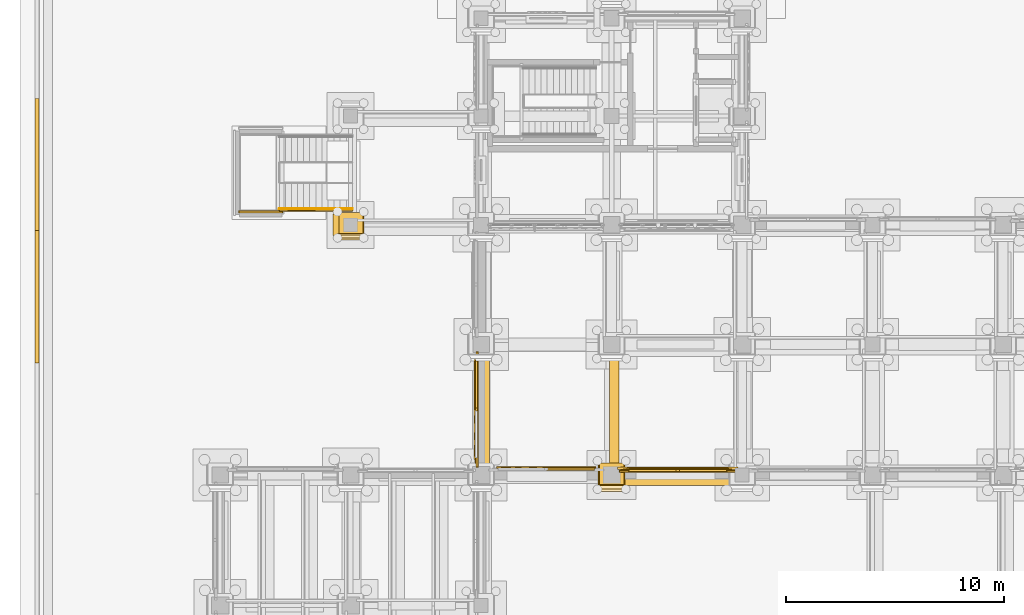
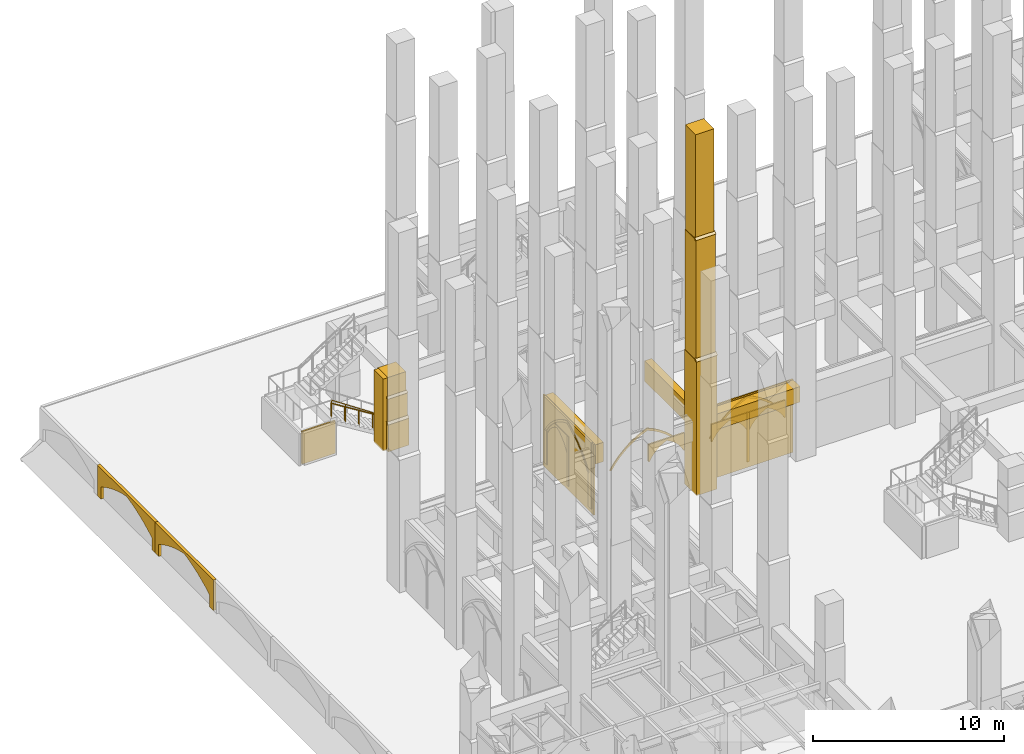
# One storey, part 88 of 135: 31 coverings, 2 railings.
"""IFC4 building model written with IfcOpenShell, lengths in metres."""

from ifc_helpers import new_model, si_unit, direction, frame, origin, origin_2d, place, context, subcontext, project, spatial, polyline, rectangle, circle, outline, extrude, material, type_object, element, save


model = new_model("IFC4")

# Units and contexts
model_context = context("Model", 3, precision=1e-05, world=origin(), true_north=direction((0.0, 1.0)))
body_context = subcontext(model_context, "Body", "Model", "MODEL_VIEW")
ifc_project = project(units=[si_unit("LENGTHUNIT", "METRE"), si_unit("AREAUNIT", "SQUARE_METRE"), si_unit("VOLUMEUNIT", "CUBIC_METRE"), si_unit("PLANEANGLEUNIT", "RADIAN"), si_unit("MASSUNIT", "GRAM", prefix="KILO")], contexts=[model_context])

# Site, building, storey
site_placement = place(None, origin())
site = spatial("IfcSite", under=ifc_project, at=site_placement, CompositionType="ELEMENT")
building_placement = place(site_placement, origin())
building = spatial("IfcBuilding", under=site, at=building_placement, Name="Cumevento Cable Car Station", CompositionType="ELEMENT")
storey_placement = place(building_placement, origin())
storey = spatial("IfcBuildingStorey", under=building, at=storey_placement, Name="L01", CompositionType="ELEMENT", Elevation=0.0)

# Railings
ifc_material_1 = material(Name="Painted Galvanised Architectural Steel", Category="steel")
railing_type_1 = type_object("IfcRailingType", Name="Stair Guardrail GR-S115", PredefinedType="GUARDRAIL", material=ifc_material_1)
railing_1_placement = place(storey_placement, frame((16.080078125, 57.159912109375, 0.0)))
element("IfcRailing", 1, at=railing_1_placement, inside=storey, type_object=railing_type_1, Name="Stair Outer Guardrail ST-16 F1", PredefinedType="GUARDRAIL", context=body_context, shape_type="SweptSolid", body=[
    extrude(circle(Radius=0.02392578125, at=origin_2d()), frame((0.0, 0.0, 1.1259765625), z_axis=(-0.830915400975, 0.0, 0.556398774641), x_axis=(0.0, -1.0, 0.0)), (0.0, 0.0, 1.0), 4.0439453125),
    extrude(circle(Radius=0.02001953125, at=origin_2d()), origin(), (0.0, 0.0, 1.0), 1.101806640625),
    extrude(circle(Radius=0.02001953125, at=origin_2d()), frame((-0.840087890625, 0.0, 0.5625)), (0.0, 0.0, 1.0), 1.101806640625),
    extrude(circle(Radius=0.02001953125, at=origin_2d()), frame((-1.68017578125, 0.0, 1.125)), (0.0, 0.0, 1.0), 1.101806640625),
    extrude(circle(Radius=0.02001953125, at=origin_2d()), frame((-2.52001953125, 0.0, 1.6875)), (0.0, 0.0, 1.0), 1.101806640625),
    extrude(circle(Radius=0.02001953125, at=origin_2d()), frame((-3.360107421875, 0.0, 2.25)), (0.0, 0.0, 1.0), 1.101806640625),
])
ifc_material_2 = material(Name="Brushed Stainless Steel Handrail Tube", Category="steel")
railing_type_2 = type_object("IfcRailingType", Name="Stair Handrail HR-090", PredefinedType="HANDRAIL", material=ifc_material_2)
railing_2_placement = place(storey_placement, frame((16.080078125, 57.239990234375, 0.17626953125)))
element("IfcRailing", 2, at=railing_2_placement, inside=storey, type_object=railing_type_2, Name="Stair Pitch Handrail ST-16 F1", PredefinedType="HANDRAIL", context=body_context, shape_type="SweptSolid", body=[
    extrude(circle(Radius=0.02099609375, at=origin_2d()), frame((0.0, 0.0, 0.87890625), z_axis=(-0.850623216509, 0.0, 0.525775754039), x_axis=(0.0, -1.0, 0.0)), (0.0, 0.0, 1.0), 3.9501953125),
    extrude(circle(Radius=0.01611328125, at=origin_2d()), origin(), (0.0, 0.0, 1.0), 0.85791015625),
    extrude(circle(Radius=0.01611328125, at=origin_2d()), frame((-0.840087890625, 0.0, 0.519287109375)), (0.0, 0.0, 1.0), 0.85791015625),
    extrude(circle(Radius=0.01611328125, at=origin_2d()), frame((-1.68017578125, 0.0, 1.03857421875)), (0.0, 0.0, 1.0), 0.85791015625),
    extrude(circle(Radius=0.01611328125, at=origin_2d()), frame((-2.52001953125, 0.0, 1.5576171875)), (0.0, 0.0, 1.0), 0.85791015625),
    extrude(circle(Radius=0.01611328125, at=origin_2d()), frame((-3.360107421875, 0.0, 2.076904296875)), (0.0, 0.0, 1.0), 0.85791015625),
])

# Coverings
ifc_material_3 = material(Name="Gnaisse Facoidal Stone Ashlar 85 MPa", Category="masonry")
covering_type = type_object("IfcCoveringType", Name="Gnaisse Ashlar Cladding CV-CL01", PredefinedType="CLADDING", material=ifc_material_3)
covering_1_placement = place(storey_placement, frame((16.0, 56.43994140625, -0.06005859375), z_axis=(0.0, 0.0, 1.0), x_axis=(1.0, 0.0, 0.0)))
element("IfcCovering", 3, at=covering_1_placement, inside=storey, type_object=covering_type, Name="Stepped Gothic Stone Buttress Tier 1 bt:16.0:56.5", PredefinedType="CLADDING", context=body_context, shape_type="SweptSolid", body=[
    extrude(rectangle(XDim=1.239990234375, YDim=1.239990234375, at=origin_2d()), origin(), (0.0, 0.0, 1.0), 1.755615234375),
])
covering_2_placement = place(storey_placement, frame((15.360107421875, 55.800048828125, 1.675537109375), z_axis=(0.0, -0.714474823669, 0.699661151089), x_axis=(1.0, 0.0, 0.0)))
element("IfcCovering", 4, at=covering_2_placement, inside=storey, type_object=covering_type, Name="Gothic Buttress Sloped Stone Weathering 1 bt:16.0:56.5", PredefinedType="CLADDING", context=body_context, shape_type="SweptSolid", body=[
    extrude(outline(polyline([(0.0, 0.0), (1.27978515625, 0.0), (1.27978515625, 0.21424991728737658), (0.0, 0.21424991728737658), (0.0, 0.0)])), origin(), (0.0, 0.0, -1.0), 0.090087890625),
])
covering_3_placement = place(storey_placement, frame((16.0, 56.489990234375, 1.603271484375), z_axis=(0.0, 0.0, 1.0), x_axis=(1.0, 0.0, 0.0)))
element("IfcCovering", 5, at=covering_3_placement, inside=storey, type_object=covering_type, Name="Stepped Gothic Stone Buttress Tier 2 bt:16.0:56.5", PredefinedType="CLADDING", context=body_context, shape_type="SweptSolid", body=[
    extrude(rectangle(XDim=1.179931640625, YDim=1.139892578125, at=origin_2d()), origin(), (0.0, 0.0, 1.0), 1.6630859375),
])
covering_4_placement = place(storey_placement, frame((15.389892578125, 55.89990234375, 3.246337890625), z_axis=(0.0, -0.715574205881, 0.698536724788), x_axis=(1.0, 0.0, 0.0)))
element("IfcCovering", 6, at=covering_4_placement, inside=storey, type_object=covering_type, Name="Gothic Buttress Sloped Stone Weathering 2 bt:16.0:56.5", PredefinedType="CLADDING", context=body_context, shape_type="SweptSolid", body=[
    extrude(outline(polyline([(0.0, 0.0), (1.22021484375, 0.0), (1.22021484375, 0.2006146760464928), (0.0, 0.2006146760464928), (0.0, 0.0)])), origin(), (0.0, 0.0, -1.0), 0.090087890625),
])
covering_5_placement = place(storey_placement, frame((16.0, 56.534912109375, 3.173828125), z_axis=(0.0, 0.0, 1.0), x_axis=(1.0, 0.0, 0.0)))
element("IfcCovering", 7, at=covering_5_placement, inside=storey, type_object=covering_type, Name="Stepped Gothic Stone Buttress Tier 3 bt:16.0:56.5", PredefinedType="CLADDING", context=body_context, shape_type="SweptSolid", body=[
    extrude(rectangle(XDim=1.1201171875, YDim=1.050048828125, at=origin_2d()), origin(), (0.0, 0.0, 1.0), 1.385986328125),
])
covering_6_placement = place(storey_placement, frame((15.320068359375, 56.5, -0.06005859375), z_axis=(0.0, 0.0, 1.0), x_axis=(1.0, 0.0, 0.0)))
element("IfcCovering", 8, at=covering_6_placement, inside=storey, type_object=covering_type, Name="Corner Buttress Stone Return (16.0,56.5)", PredefinedType="CLADDING", context=body_context, shape_type="SweptSolid", body=[
    extrude(rectangle(XDim=0.280029296875, YDim=0.97998046875, at=origin_2d()), origin(), (0.0, 0.0, 1.0), 4.6201171875),
])
covering_7_placement = place(storey_placement, frame((28.0, 44.909912109375, -0.06005859375), z_axis=(0.0, 0.0, 1.0), x_axis=(1.0, 0.0, 0.0)))
element("IfcCovering", 9, at=covering_7_placement, inside=storey, type_object=covering_type, Name="Stepped Gothic Stone Buttress Tier 1 bt:28.0:45.0", PredefinedType="CLADDING", context=body_context, shape_type="SweptSolid", body=[
    extrude(rectangle(XDim=1.239990234375, YDim=1.300048828125, at=origin_2d()), origin(), (0.0, 0.0, 1.0), 8.595703125),
])
covering_8_placement = place(storey_placement, frame((27.360107421875, 44.239990234375, 8.515625), z_axis=(0.0, -0.711135781079, 0.703054692658), x_axis=(1.0, 0.0, 0.0)))
element("IfcCovering", 10, at=covering_8_placement, inside=storey, type_object=covering_type, Name="Gothic Buttress Sloped Stone Weathering 1 bt:28.0:45.0", PredefinedType="CLADDING", context=body_context, shape_type="SweptSolid", body=[
    extrude(outline(polyline([(0.0, 0.0), (1.27978515625, 0.0), (1.27978515625, 0.24169083397703695), (0.0, 0.24169083397703695), (0.0, 0.0)])), origin(), (0.0, 0.0, -1.0), 0.090087890625),
])
covering_9_placement = place(storey_placement, frame((28.0, 44.969970703125, 8.0830078125), z_axis=(0.0, 0.0, 1.0), x_axis=(1.0, 0.0, 0.0)))
element("IfcCovering", 11, at=covering_9_placement, inside=storey, type_object=covering_type, Name="Stepped Gothic Stone Buttress Tier 2 bt:28.0:45.0", PredefinedType="CLADDING", context=body_context, shape_type="SweptSolid", body=[
    extrude(rectangle(XDim=1.179931640625, YDim=1.179931640625, at=origin_2d()), origin(), (0.0, 0.0, 1.0), 8.143310546875),
])
covering_10_placement = place(storey_placement, frame((27.389892578125, 44.360107421875, 16.206298828125), z_axis=(0.0, -0.714474823669, 0.699661151089), x_axis=(1.0, 0.0, 0.0)))
element("IfcCovering", 12, at=covering_10_placement, inside=storey, type_object=covering_type, Name="Gothic Buttress Sloped Stone Weathering 2 bt:28.0:45.0", PredefinedType="CLADDING", context=body_context, shape_type="SweptSolid", body=[
    extrude(outline(polyline([(0.0, 0.0), (1.22021484375, 0.0), (1.22021484375, 0.21424991728737655), (0.0, 0.21424991728737655), (0.0, 0.0)])), origin(), (0.0, 0.0, -1.0), 0.090087890625),
])
covering_11_placement = place(storey_placement, frame((28.0, 45.02001953125, 15.77392578125), z_axis=(0.0, 0.0, 1.0), x_axis=(1.0, 0.0, 0.0)))
element("IfcCovering", 13, at=covering_11_placement, inside=storey, type_object=covering_type, Name="Stepped Gothic Stone Buttress Tier 3 bt:28.0:45.0", PredefinedType="CLADDING", context=body_context, shape_type="SweptSolid", body=[
    extrude(rectangle(XDim=1.1201171875, YDim=1.080078125, at=origin_2d()), origin(), (0.0, 0.0, 1.0), 7.1259765625),
])
covering_12_placement = place(storey_placement, frame((31.03759765625, 44.89990234375, 3.5400390625), z_axis=(0.0, 0.0, 1.0), x_axis=(1.0, 0.0, 0.0)))
element("IfcCovering", 14, at=covering_12_placement, inside=storey, type_object=covering_type, Name="Gothic Stone Spandrel Stringcourse sc:0077", PredefinedType="CLADDING", context=body_context, shape_type="SweptSolid", body=[
    extrude(rectangle(XDim=5.514892578125, YDim=0.760009765625, at=origin_2d()), origin(), (0.0, 0.0, 1.0), 0.989990234375),
])
covering_13_placement = place(storey_placement, frame((31.03759765625, 45.3076171875, 4.400146484375), z_axis=(0.0, 0.0, 1.0), x_axis=(1.0, 0.0, 0.0)))
element("IfcCovering", 15, at=covering_13_placement, inside=storey, type_object=covering_type, Name="Gothic Cornice Dripstone Lip sc:0077", PredefinedType="CLADDING", context=body_context, shape_type="SweptSolid", body=[
    extrude(rectangle(XDim=5.554931640625, YDim=0.114990234375, at=origin_2d()), origin(), (0.0, 0.0, 1.0), 0.1298828125),
])
covering_14_placement = place(storey_placement, frame((22.139892578125, 48.012451171875, 3.2099609375), z_axis=(0.0, 0.0, 1.0), x_axis=(0.0, 1.0, 0.0)))
element("IfcCovering", 16, at=covering_14_placement, inside=storey, type_object=covering_type, Name="Gothic Stone Spandrel Stringcourse sc:0091", PredefinedType="CLADDING", context=body_context, shape_type="SweptSolid", body=[
    extrude(rectangle(XDim=5.284912109375, YDim=0.47998046875, at=origin_2d()), origin(), (0.0, 0.0, 1.0), 1.239990234375),
])
covering_15_placement = place(storey_placement, frame((28.114990234375, 48.012451171875, 3.239990234375), z_axis=(0.0, 0.0, 1.0), x_axis=(0.0, 1.0, 0.0)))
element("IfcCovering", 17, at=covering_15_placement, inside=storey, type_object=covering_type, Name="Gothic Stone Spandrel Stringcourse sc:0093", PredefinedType="CLADDING", context=body_context, shape_type="SweptSolid", body=[
    extrude(rectangle(XDim=5.284912109375, YDim=0.429931640625, at=origin_2d()), origin(), (0.0, 0.0, 1.0), 1.2900390625),
])
covering_16_placement = place(storey_placement, frame((22.580078125, 45.0, 2.52001953125), z_axis=(0.0, 0.0, 1.0), x_axis=(1.0, 0.0, 0.0)))
element("IfcCovering", 18, at=covering_16_placement, inside=storey, type_object=covering_type, Name="Gothic Pointed Archivolt Hood Moulding blind_ogival:0011", PredefinedType="CLADDING", context=body_context, shape_type="SweptSolid", body=[
    extrude(outline(polyline([(0.260009765625, 0.0), (0.491455078125, 0.336669921875), (0.75244140625, 0.650634765625), (1.041015625, 0.939697265625), (1.354736328125, 1.201171875), (1.691162109375, 1.43310546875), (2.047119140625, 1.633056640625), (2.419921875, 1.800048828125), (2.79296875, 1.633056640625), (3.14892578125, 1.43310546875), (3.4853515625, 1.201171875), (3.799072265625, 0.939697265625), (4.087646484375, 0.650634765625), (4.3486328125, 0.336669921875), (4.580078125, 0.0), (4.700927734375, 0.0), (4.46044921875, 0.364013671875), (4.18701171875, 0.7041015625), (3.88330078125, 1.017333984375), (3.5517578125, 1.30078125), (3.1953125, 1.552490234375), (2.81689453125, 1.77001953125), (2.419921875, 1.951171875), (2.023193359375, 1.77001953125), (1.644775390625, 1.552490234375), (1.288330078125, 1.30078125), (0.956787109375, 1.017333984375), (0.653076171875, 0.7041015625), (0.379638671875, 0.364013671875), (0.138916015625, 0.0), (0.260009765625, 0.0)])), frame((0.0, 0.3720703125, 0.0), z_axis=(0.0, -1.0, 0.0), x_axis=(1.0, 0.0, 0.0)), (0.0, 0.0, 1.0), 0.06689453125),
])
covering_17_placement = place(storey_placement, frame((25.044921875, 45.0, 2.340087890625), z_axis=(0.0, 0.0, 1.0), x_axis=(1.0, 0.0, 0.0)))
element("IfcCovering", 19, at=covering_17_placement, inside=storey, type_object=covering_type, Name="Gothic Ogival Pointed-Arch Stone Spandrel blind_ogival:0011:sub:1", PredefinedType="CLADDING", context=body_context, shape_type="SweptSolid", body=[
    extrude(outline(polyline([(-0.02001953125, 0.0), (-0.02001953125, 1.115966796875), (2.1650390625, 1.115966796875), (2.1650390625, 0.0), (2.10498046875, 0.0), (1.986083984375, 0.213134765625), (1.843017578125, 0.41064453125), (1.677490234375, 0.590087890625), (1.492431640625, 0.748779296875), (1.289794921875, 0.884765625), (1.072509765625, 0.99609375), (0.855224609375, 0.884765625), (0.652587890625, 0.748779296875), (0.467529296875, 0.590087890625), (0.302001953125, 0.41064453125), (0.158935546875, 0.213134765625), (0.0400390625, 0.0), (-0.02001953125, 0.0)])), frame((0.0, 0.31396484375, 0.0), z_axis=(0.0, -1.0, 0.0), x_axis=(1.0, 0.0, 0.0)), (0.0, 0.0, 1.0), 0.090087890625),
])
covering_18_placement = place(storey_placement, frame((28.39990234375, 45.0, 0.0), z_axis=(0.0, 0.0, 1.0), x_axis=(1.0, 0.0, 0.0)))
element("IfcCovering", 20, at=covering_18_placement, inside=storey, type_object=covering_type, Name="Exterior Gnaisse Stone Wall Ashlar #12", PredefinedType="CLADDING", context=body_context, shape_type="SweptSolid", body=[
    extrude(outline(polyline([(-0.0400390625, -0.02001953125), (5.31494140625, -0.02001953125), (5.31494140625, 4.52001953125), (-0.0400390625, 4.52001953125), (-0.0400390625, -0.02001953125)])), frame((0.0, 0.215087890625, 0.0), z_axis=(0.0, -1.0, 0.0), x_axis=(1.0, 0.0, 0.0)), (0.0, 0.0, 1.0), 0.0849609375),
])
placement_1 = place(storey_placement, frame((28.580078125, 45.0, 0.300048828125), z_axis=(0.0, 0.0, 1.0), x_axis=(1.0, 0.0, 0.0)))
element("IfcCovering", 21, at=placement_1, inside=storey, type_object=covering_type, Name="Gothic Ogival Pointed-Arch Stone Spandrel blind_ogival:0012", PredefinedType="CLADDING", context=body_context, shape_type="SweptSolid", body=[
    extrude(outline(polyline([(-0.050048828125, 0.0), (-0.050048828125, 4.239990234375), (4.965087890625, 4.239990234375), (4.965087890625, 0.0), (4.655029296875, 0.0), (4.655029296875, 2.219970703125), (4.41748046875, 2.55712890625), (4.150390625, 2.87158203125), (3.856201171875, 3.16064453125), (3.537109375, 3.421875), (3.19580078125, 3.653564453125), (2.8349609375, 3.853515625), (2.45751953125, 4.02001953125), (2.080078125, 3.853515625), (1.71923828125, 3.653564453125), (1.3779296875, 3.421875), (1.058837890625, 3.16064453125), (0.7646484375, 2.87158203125), (0.49755859375, 2.55712890625), (0.260009765625, 2.219970703125), (0.260009765625, 0.0), (-0.050048828125, 0.0)])), frame((0.0, 0.27001953125, 0.0), z_axis=(0.0, -1.0, 0.0), x_axis=(1.0, 0.0, 0.0)), (0.0, 0.0, 1.0), 0.110107421875),
])
covering_20_placement = place(storey_placement, frame((28.580078125, 45.0, 2.52001953125), z_axis=(0.0, 0.0, 1.0), x_axis=(1.0, 0.0, 0.0)))
element("IfcCovering", 22, at=covering_20_placement, inside=storey, type_object=covering_type, Name="Gothic Pointed Archivolt Hood Moulding blind_ogival:0012", PredefinedType="CLADDING", context=body_context, shape_type="SweptSolid", body=[
    extrude(outline(polyline([(0.260009765625, 0.0), (0.49755859375, 0.337158203125), (0.7646484375, 0.651611328125), (1.058837890625, 0.940673828125), (1.3779296875, 1.201904296875), (1.71923828125, 1.43359375), (2.080078125, 1.633544921875), (2.45751953125, 1.800048828125), (2.8349609375, 1.633544921875), (3.19580078125, 1.43359375), (3.537109375, 1.201904296875), (3.856201171875, 0.940673828125), (4.150390625, 0.651611328125), (4.41748046875, 0.337158203125), (4.655029296875, 0.0), (4.77587890625, 0.0), (4.529052734375, 0.364501953125), (4.249755859375, 0.704833984375), (3.9404296875, 1.01806640625), (3.603515625, 1.3017578125), (3.241943359375, 1.552978515625), (2.85888671875, 1.770263671875), (2.45751953125, 1.951171875), (2.05615234375, 1.770263671875), (1.673095703125, 1.552978515625), (1.3115234375, 1.3017578125), (0.974609375, 1.01806640625), (0.665283203125, 0.704833984375), (0.385986328125, 0.364501953125), (0.138916015625, 0.0), (0.260009765625, 0.0)])), frame((0.0, 0.31201171875, 0.0), z_axis=(0.0, -1.0, 0.0), x_axis=(1.0, 0.0, 0.0)), (0.0, 0.0, 1.0), 0.06689453125),
])
element("IfcCovering", 23, at=placement_1, inside=storey, type_object=covering_type, Name="Gothic Bifora Stone Colonnette blind_ogival:0012 #1", PredefinedType="CLADDING", context=body_context, shape_type="SweptSolid", body=[
    extrude(outline(polyline([(2.382568359375, -0.02001953125), (2.532470703125, -0.02001953125), (2.532470703125, 3.156005859375), (2.382568359375, 3.156005859375), (2.382568359375, -0.02001953125)])), frame((0.0, 0.258056640625, 0.0), z_axis=(0.0, -1.0, 0.0), x_axis=(1.0, 0.0, 0.0)), (0.0, 0.0, 1.0), 0.094970703125),
])
for number, where, z_axis, x_axis, name in (
    (24, (28.81005859375, 45.0, 2.340087890625), (0.0, 0.0, 1.0), (1.0, 0.0, 0.0), "Gothic Ogival Pointed-Arch Stone Spandrel blind_ogival:0012:sub:0"),
    (25, (31.08251953125, 45.0, 2.340087890625), (0.0, 0.0, 1.0), (1.0, 0.0, 0.0), "Gothic Ogival Pointed-Arch Stone Spandrel blind_ogival:0012:sub:1"),
):
    element("IfcCovering", number, at=place(storey_placement, frame(where, z_axis=z_axis, x_axis=x_axis)), inside=storey, type_object=covering_type, Name=name, PredefinedType="CLADDING", context=body_context, shape_type="SweptSolid", body=[
        extrude(outline(polyline([(-0.02001953125, 0.0), (-0.02001953125, 1.115966796875), (2.202392578125, 1.115966796875), (2.202392578125, 0.0), (2.142578125, 0.0), (2.02001953125, 0.21337890625), (1.873291015625, 0.4111328125), (1.704833984375, 0.590576171875), (1.5166015625, 0.749267578125), (1.31103515625, 0.885009765625), (1.09130859375, 0.99609375), (0.87158203125, 0.885009765625), (0.666015625, 0.749267578125), (0.477783203125, 0.590576171875), (0.309326171875, 0.4111328125), (0.16259765625, 0.21337890625), (0.0400390625, 0.0), (-0.02001953125, 0.0)])), frame((0.0, 0.25390625, 0.0), z_axis=(0.0, -1.0, 0.0), x_axis=(1.0, 0.0, 0.0)), (0.0, 0.0, 1.0), 0.090087890625),
    ])
covering_22_placement = place(storey_placement, frame((22.0, 45.39990234375, 0.0), z_axis=(0.0, 0.0, 1.0), x_axis=(0.0, 1.0, 0.0)))
element("IfcCovering", 26, at=covering_22_placement, inside=storey, type_object=covering_type, Name="Exterior Gnaisse Stone Wall Ashlar #19", PredefinedType="CLADDING", context=body_context, shape_type="SweptSolid", body=[
    extrude(outline(polyline([(-0.0400390625, -0.02001953125), (5.264892578125, -0.02001953125), (5.264892578125, 4.52001953125), (-0.0400390625, 4.52001953125), (-0.0400390625, -0.02001953125)])), frame((0.0, 0.22509765625, 0.0), z_axis=(0.0, -1.0, 0.0), x_axis=(1.0, 0.0, 0.0)), (0.0, 0.0, 1.0), 0.0849609375),
])
placement_2 = place(storey_placement, frame((22.0, 45.580078125, 0.300048828125), z_axis=(0.0, 0.0, 1.0), x_axis=(0.0, 1.0, 0.0)))
element("IfcCovering", 27, at=placement_2, inside=storey, type_object=covering_type, Name="Gothic Ogival Pointed-Arch Stone Spandrel blind_ogival:0019", PredefinedType="CLADDING", context=body_context, shape_type="SweptSolid", body=[
    extrude(outline(polyline([(-0.050048828125, 0.0), (-0.050048828125, 4.239990234375), (4.9150390625, 4.239990234375), (4.9150390625, 0.0), (4.60498046875, 0.0), (4.60498046875, 2.219970703125), (4.37158203125, 2.556884765625), (4.1083984375, 2.87109375), (3.81787109375, 3.159912109375), (3.50244140625, 3.42138671875), (3.16455078125, 3.653076171875), (2.806884765625, 3.853271484375), (2.4326171875, 4.02001953125), (2.05810546875, 3.853271484375), (1.700439453125, 3.653076171875), (1.362548828125, 3.42138671875), (1.047119140625, 3.159912109375), (0.756591796875, 2.87109375), (0.493408203125, 2.556884765625), (0.260009765625, 2.219970703125), (0.260009765625, 0.0), (-0.050048828125, 0.0)])), frame((0.0, 0.280029296875, 0.0), z_axis=(0.0, -1.0, 0.0), x_axis=(1.0, 0.0, 0.0)), (0.0, 0.0, 1.0), 0.110107421875),
])
covering_24_placement = place(storey_placement, frame((22.0, 45.580078125, 2.52001953125), z_axis=(0.0, 0.0, 1.0), x_axis=(0.0, 1.0, 0.0)))
element("IfcCovering", 28, at=covering_24_placement, inside=storey, type_object=covering_type, Name="Gothic Pointed Archivolt Hood Moulding blind_ogival:0019", PredefinedType="CLADDING", context=body_context, shape_type="SweptSolid", body=[
    extrude(outline(polyline([(0.260009765625, 0.0), (0.493408203125, 0.3369140625), (0.756591796875, 0.651123046875), (1.047119140625, 0.93994140625), (1.362548828125, 1.201416015625), (1.700439453125, 1.43310546875), (2.05810546875, 1.63330078125), (2.4326171875, 1.800048828125), (2.806884765625, 1.63330078125), (3.16455078125, 1.43310546875), (3.50244140625, 1.201416015625), (3.81787109375, 0.93994140625), (4.1083984375, 0.651123046875), (4.37158203125, 0.3369140625), (4.60498046875, 0.0), (4.72607421875, 0.0), (4.483154296875, 0.3642578125), (4.207763671875, 0.704345703125), (3.902099609375, 1.017578125), (3.56884765625, 1.301025390625), (3.210693359375, 1.552734375), (2.830810546875, 1.77001953125), (2.4326171875, 1.951171875), (2.0341796875, 1.77001953125), (1.654296875, 1.552734375), (1.296142578125, 1.301025390625), (0.962890625, 1.017578125), (0.6572265625, 0.704345703125), (0.3818359375, 0.3642578125), (0.138916015625, 0.0), (0.260009765625, 0.0)])), frame((0.0, 0.322021484375, 0.0), z_axis=(0.0, -1.0, 0.0), x_axis=(1.0, 0.0, 0.0)), (0.0, 0.0, 1.0), 0.06689453125),
])
element("IfcCovering", 29, at=placement_2, inside=storey, type_object=covering_type, Name="Gothic Bifora Stone Colonnette blind_ogival:0019 #1", PredefinedType="CLADDING", context=body_context, shape_type="SweptSolid", body=[
    extrude(outline(polyline([(2.357421875, -0.02001953125), (2.507568359375, -0.02001953125), (2.507568359375, 3.156005859375), (2.357421875, 3.156005859375), (2.357421875, -0.02001953125)])), frame((0.0, 0.26806640625, 0.0), z_axis=(0.0, -1.0, 0.0), x_axis=(1.0, 0.0, 0.0)), (0.0, 0.0, 1.0), 0.094970703125),
])
covering_26_placement = place(storey_placement, frame((22.0, 48.0576171875, 2.340087890625), z_axis=(0.0, 0.0, 1.0), x_axis=(0.0, 1.0, 0.0)))
element("IfcCovering", 30, at=covering_26_placement, inside=storey, type_object=covering_type, Name="Gothic Ogival Pointed-Arch Stone Spandrel blind_ogival:0019:sub:1", PredefinedType="CLADDING", context=body_context, shape_type="SweptSolid", body=[
    extrude(outline(polyline([(-0.02001953125, 0.0), (-0.02001953125, 1.115966796875), (2.177490234375, 1.115966796875), (2.177490234375, 0.0), (2.117431640625, 0.0), (1.997314453125, 0.213134765625), (1.85302734375, 0.410888671875), (1.6865234375, 0.59033203125), (1.500244140625, 0.7490234375), (1.296875, 0.884765625), (1.078857421875, 0.99609375), (0.860595703125, 0.884765625), (0.6572265625, 0.7490234375), (0.470947265625, 0.59033203125), (0.304443359375, 0.410888671875), (0.16015625, 0.213134765625), (0.0400390625, 0.0), (-0.02001953125, 0.0)])), frame((0.0, 0.263916015625, 0.0), z_axis=(0.0, -1.0, 0.0), x_axis=(1.0, 0.0, 0.0)), (0.0, 0.0, 1.0), 0.090087890625),
])
covering_27_placement = place(storey_placement, frame((10.89990234375, 56.97998046875, 0.0), z_axis=(0.0, 0.0, 1.0), x_axis=(1.0, 0.0, 0.0)))
element("IfcCovering", 31, at=covering_27_placement, inside=storey, type_object=covering_type, Name="Exterior Gnaisse Stone Wall Ashlar #317", PredefinedType="CLADDING", context=body_context, shape_type="SweptSolid", body=[
    extrude(outline(polyline([(-0.0400390625, -0.02001953125), (1.97998046875, -0.02001953125), (1.97998046875, 2.071044921875), (-0.0400390625, 2.071044921875), (-0.0400390625, -0.02001953125)])), frame((0.0, 0.159912109375, 0.0), z_axis=(0.0, -1.0, 0.0), x_axis=(1.0, 0.0, 0.0)), (0.0, 0.0, 1.0), 0.0849609375),
])
for number, where, z_axis, x_axis, name in (
    (32, (1.64990234375, 56.22265625, -1.919921875), (0.0, 0.0, 1.0), (0.0, 1.0, 0.0), "Gothic Ogival Pointed-Arch Stone Spandrel cumevento_plinth:plinth_arch:W:1"),
    (33, (1.64990234375, 50.1591796875, -1.919921875), (0.0, 0.0, 1.0), (0.0, 1.0, 0.0), "Gothic Ogival Pointed-Arch Stone Spandrel cumevento_plinth:plinth_arch:W:2"),
):
    element("IfcCovering", number, at=place(storey_placement, frame(where, z_axis=z_axis, x_axis=x_axis)), inside=storey, type_object=covering_type, Name=name, PredefinedType="CLADDING", context=body_context, shape_type="SweptSolid", body=[
        extrude(outline(polyline([(-0.02001953125, 0.0), (-0.02001953125, 1.9599609375), (6.083740234375, 1.9599609375), (6.083740234375, 0.0), (5.70361328125, 0.0), (5.70361328125, 0.77001953125), (5.284912109375, 1.003662109375), (4.853759765625, 1.21337890625), (4.41162109375, 1.3984375), (3.95947265625, 1.55810546875), (3.4990234375, 1.692138671875), (3.03173828125, 1.800048828125), (2.564697265625, 1.692138671875), (2.104248046875, 1.55810546875), (1.652099609375, 1.3984375), (1.2099609375, 1.21337890625), (0.77880859375, 1.003662109375), (0.360107421875, 0.77001953125), (0.360107421875, 0.0), (-0.02001953125, 0.0)])), frame((0.0, 0.14990234375, 0.0), z_axis=(0.0, -1.0, 0.0), x_axis=(1.0, 0.0, 0.0)), (0.0, 0.0, 1.0), 0.179931640625),
    ])

save(model, "model.ifc")
